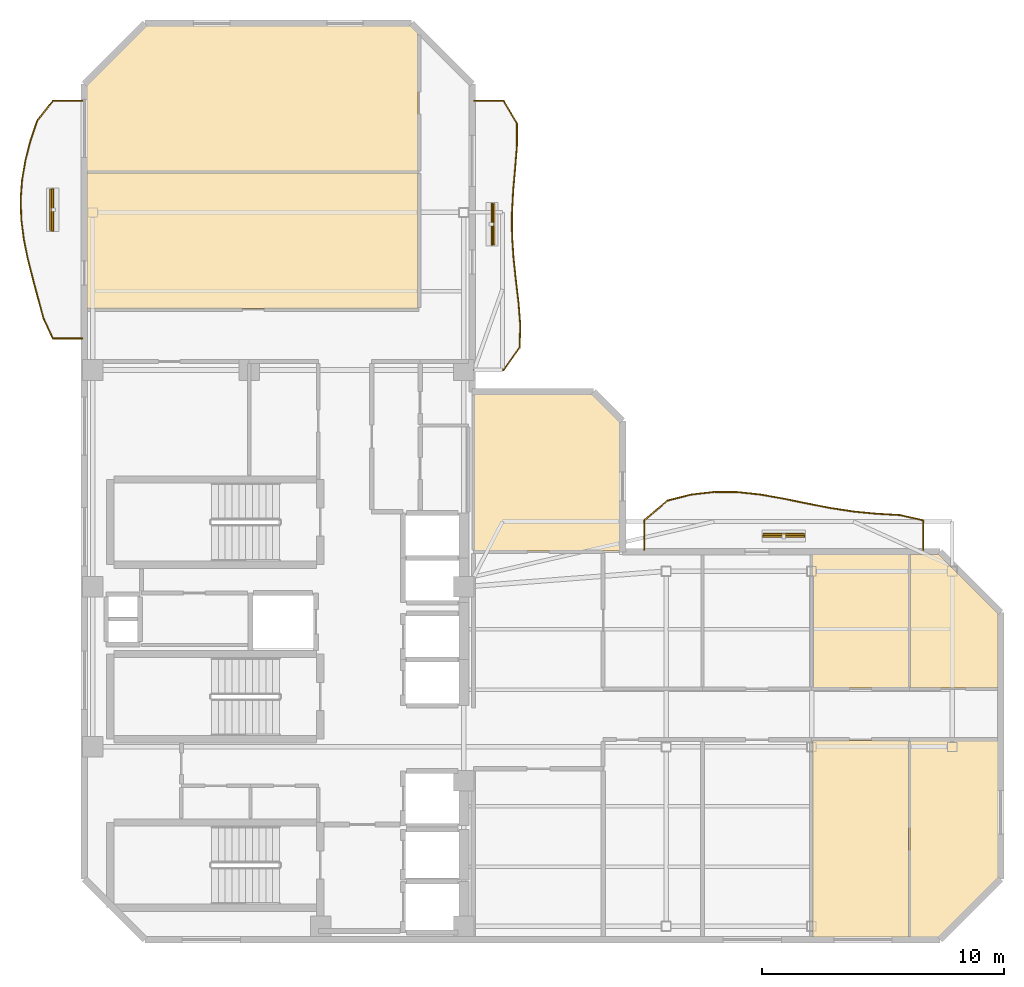
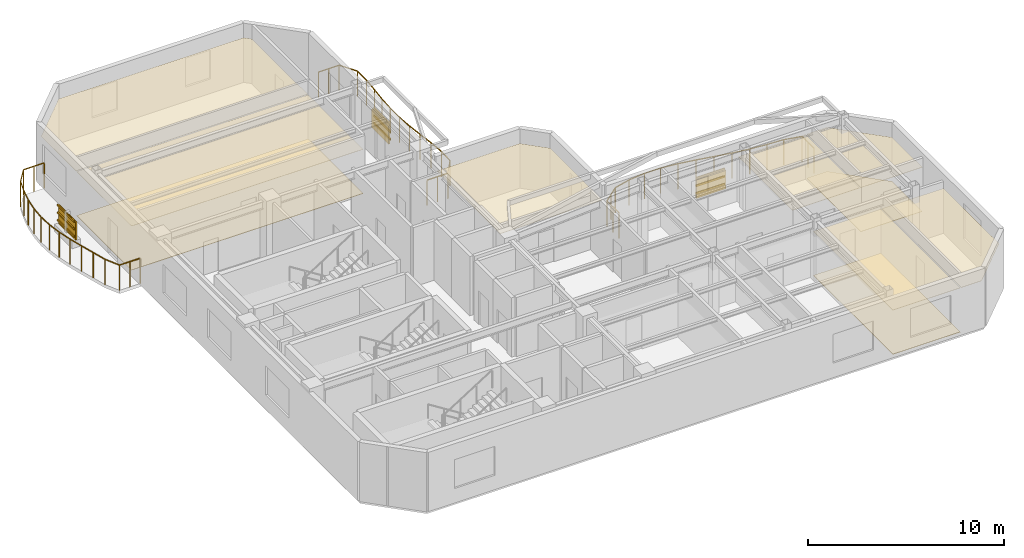
# One storey, part 7 of 7: 12 shading devices, 10 coverings, 3 railings.
"""IFC4 building model written with IfcOpenShell, lengths in metres."""

from ifc_helpers import new_model, si_unit, direction, frame, origin, origin_2d, place, context, subcontext, project, spatial, polyline, rectangle, outline, extrude, material, layer, layer_set, material_profile, profile_set, type_object, element, save


model = new_model("IFC4")

# Units and contexts
model_context = context("Model", 3, precision=1e-05, world=origin(), true_north=direction((0.0, 1.0)))
body_context = subcontext(model_context, "Body", "Model", "MODEL_VIEW")
ifc_project = project(units=[si_unit("LENGTHUNIT", "METRE"), si_unit("AREAUNIT", "SQUARE_METRE"), si_unit("VOLUMEUNIT", "CUBIC_METRE"), si_unit("PLANEANGLEUNIT", "RADIAN"), si_unit("MASSUNIT", "GRAM", prefix="KILO")], contexts=[model_context])

# Site, building, storey
site_placement = place(None, origin())
site = spatial("IfcSite", under=ifc_project, at=site_placement, CompositionType="ELEMENT")
building_placement = place(site_placement, origin())
building = spatial("IfcBuilding", under=site, at=building_placement, Name="Mawjaban Terraces University", CompositionType="ELEMENT")
storey_placement = place(building_placement, frame((0.0, 0.0, 275.5)))
storey = spatial("IfcBuildingStorey", under=building, at=storey_placement, Name="L67", CompositionType="ELEMENT", Elevation=275.5)

# Coverings
ifc_material_1 = material(Name="Acoustic mineral fibre ceiling tile", Category="masonry")
ifc_layer_1 = layer(ifc_material_1, 0.02001953125)
ifc_layer_set_1 = layer_set([ifc_layer_1], Name="Acoustic mineral fibre ceiling tile")
covering_type_1 = type_object("IfcCoveringType", Name="AcousticMineralCeiling_20", PredefinedType="CEILING", material=ifc_layer_set_1)
covering_1_placement = place(storey_placement, frame((0.0, 0.0, 2.75)))
element("IfcCovering", 1, at=covering_1_placement, inside=storey, type_object=covering_type_1, Name="L67 Reading Salon 6 Acoustic Ceiling", PredefinedType="CEILING", context=body_context, shape_type="SweptSolid", body=[
    extrude(outline(polyline([(52.030029296875, 0.114990234375), (55.998046875, 0.114990234375), (55.998046875, 8.219970703125), (52.030029296875, 8.219970703125), (52.030029296875, 0.114990234375)])), origin(), (0.0, 0.0, 1.0), 0.02001953125),
])
covering_2_placement = place(storey_placement, frame((0.0, 0.0, 2.75)))
element("IfcCovering", 2, at=covering_2_placement, inside=storey, type_object=covering_type_1, Name="L67 Academic Counseling Room 7 Acoustic Ceiling", PredefinedType="CEILING", context=body_context, shape_type="SweptSolid", body=[
    extrude(outline(polyline([(55.998046875, 15.885009765625), (52.030029296875, 15.885009765625), (52.030029296875, 10.3798828125), (55.998046875, 10.3798828125), (55.998046875, 15.885009765625)])), origin(), (0.0, 0.0, 1.0), 0.02001953125),
])
covering_3_placement = place(storey_placement, frame((0.0, 0.0, 2.75)))
element("IfcCovering", 3, at=covering_3_placement, inside=storey, type_object=covering_type_1, Name="L67 Academic Counseling Room 8 Acoustic Ceiling", PredefinedType="CEILING", context=body_context, shape_type="SweptSolid", body=[
    extrude(outline(polyline([(56.05810546875, 0.114990234375), (57.2529296875, 0.114990234375), (59.68505859375, 2.547119140625), (59.68505859375, 8.219970703125), (56.05810546875, 8.219970703125), (56.05810546875, 0.114990234375)])), origin(), (0.0, 0.0, 1.0), 0.02001953125),
])
covering_4_placement = place(storey_placement, frame((0.0, 0.0, 2.75)))
element("IfcCovering", 4, at=covering_4_placement, inside=storey, type_object=covering_type_1, Name="L67 Classroom 9 Acoustic Ceiling", PredefinedType="CEILING", context=body_context, shape_type="SweptSolid", body=[
    extrude(outline(polyline([(59.68505859375, 10.3798828125), (59.68505859375, 13.452880859375), (57.2529296875, 15.885009765625), (56.05810546875, 15.885009765625), (56.05810546875, 10.3798828125), (59.68505859375, 10.3798828125)])), origin(), (0.0, 0.0, 1.0), 0.02001953125),
])
covering_5_placement = place(storey_placement, frame((0.0, 0.0, 2.75)))
element("IfcCovering", 5, at=covering_5_placement, inside=storey, type_object=covering_type_1, Name="L67 Seminar Room 10 Acoustic Ceiling", PredefinedType="CEILING", context=body_context, shape_type="SweptSolid", body=[
    extrude(outline(polyline([(22.114990234375, 31.634033203125), (22.114990234375, 26.030029296875), (35.77001953125, 26.030029296875), (35.77001953125, 31.634033203125), (22.114990234375, 31.634033203125)])), origin(), (0.0, 0.0, 1.0), 0.02001953125),
])
covering_6_placement = place(storey_placement, frame((0.0, 0.0, 2.75)))
element("IfcCovering", 6, at=covering_6_placement, inside=storey, type_object=covering_type_1, Name="L67 Faculty Office 11 Acoustic Ceiling", PredefinedType="CEILING", context=body_context, shape_type="SweptSolid", body=[
    extrude(outline(polyline([(35.77001953125, 37.367919921875), (35.452880859375, 37.68505859375), (24.547119140625, 37.68505859375), (22.114990234375, 35.2529296875), (22.114990234375, 31.694091796875), (35.77001953125, 31.694091796875), (35.77001953125, 37.367919921875)])), origin(), (0.0, 0.0, 1.0), 0.02001953125),
])
covering_7_placement = place(storey_placement, frame((0.0, 0.0, 2.75)))
element("IfcCovering", 7, at=covering_7_placement, inside=storey, type_object=covering_type_1, Name="L67 Terrace Collaborative Study Room Acoustic Ceiling", PredefinedType="CEILING", context=body_context, shape_type="SweptSolid", body=[
    extrude(outline(polyline([(44.0849609375, 16.030029296875), (44.0849609375, 21.35302734375), (42.952880859375, 22.485107421875), (38.080078125, 22.485107421875), (38.080078125, 16.030029296875), (44.0849609375, 16.030029296875)])), origin(), (0.0, 0.0, 1.0), 0.02001953125),
])

# Railings
ifc_material_2 = material(Name="Galvanised powder-coated steel S355", Category="steel")
railing_type = type_object("IfcRailingType", Name="BalconyBalustrade_1600", PredefinedType="BALUSTRADE", material=ifc_material_2)
railing_1_placement = place(storey_placement, frame((21.919921875, 24.800048828125, 0.0)))
element("IfcRailing", 8, at=railing_1_placement, inside=storey, type_object=railing_type, Name="L67 Balcony Guardrail west", PredefinedType="BALUSTRADE", context=body_context, shape_type="SweptSolid", body=[
    extrude(rectangle(XDim=0.048095703125, YDim=0.048095703125, at=origin_2d()), frame((0.0, 0.0, 1.576171875), z_axis=(-1.0, 0.0, 0.0), x_axis=(0.0, -1.0, 0.0)), (0.0, 0.0, 1.0), 1.219970703125),
    extrude(rectangle(XDim=0.048095703125, YDim=0.048095703125, at=origin_2d()), frame((-1.219970703125, 0.0, 1.576171875), z_axis=(-0.425445319845, 0.904984132359, 0.0), x_axis=(-0.904984132359, -0.425445319845, 0.0)), (0.0, 0.0, 1.0), 0.902587890625),
    extrude(rectangle(XDim=0.048095703125, YDim=0.048095703125, at=origin_2d()), frame((-1.60400390625, 0.81689453125, 1.576171875), z_axis=(-0.261308992065, 0.965255204941, 0.0), x_axis=(-0.965255204941, -0.261308992065, 0.0)), (0.0, 0.0, 1.0), 0.845458984375),
    extrude(rectangle(XDim=0.048095703125, YDim=0.048095703125, at=origin_2d()), frame((-1.824951171875, 1.633056640625, 1.576171875), z_axis=(-0.261090681954, 0.965314278252, 0.0), x_axis=(-0.965314278252, -0.261090681954, 0.0)), (0.0, 0.0, 1.0), 0.84619140625),
    extrude(rectangle(XDim=0.048095703125, YDim=0.048095703125, at=origin_2d()), frame((-2.0458984375, 2.449951171875, 1.576171875), z_axis=(-0.244580644679, 0.969628953904, 0.0), x_axis=(-0.969628953904, -0.244580644679, 0.0)), (0.0, 0.0, 1.0), 0.842529296875),
    extrude(rectangle(XDim=0.048095703125, YDim=0.048095703125, at=origin_2d()), frame((-2.251953125, 3.266845703125, 1.576171875), z_axis=(-0.200453772831, 0.979703161656, 0.0), x_axis=(-0.979703161656, -0.200453772831, 0.0)), (0.0, 0.0, 1.0), 0.8330078125),
    extrude(rectangle(XDim=0.048095703125, YDim=0.048095703125, at=origin_2d()), frame((-2.4189453125, 4.0830078125, 1.576171875), z_axis=(-0.126296715249, 0.99199250991, 0.0), x_axis=(-0.99199250991, -0.126296715249, 0.0)), (0.0, 0.0, 1.0), 0.823486328125),
    extrude(rectangle(XDim=0.048095703125, YDim=0.048095703125, at=origin_2d()), frame((-2.52294921875, 4.89990234375, 1.576171875), z_axis=(-0.034338864189, 0.999410247299, 0.0), x_axis=(-0.999410247299, -0.034338864189, 0.0)), (0.0, 0.0, 1.0), 0.817626953125),
    extrude(rectangle(XDim=0.048095703125, YDim=0.048095703125, at=origin_2d()), frame((-2.551025390625, 5.717041015625, 1.576171875), z_axis=(0.071034940463, 0.997473827844, 0.0), x_axis=(-0.997473827844, 0.071034940463, 0.0)), (0.0, 0.0, 1.0), 0.81787109375),
    extrude(rectangle(XDim=0.048095703125, YDim=0.048095703125, at=origin_2d()), frame((-2.492919921875, 6.532958984375, 1.576171875), z_axis=(0.167647038279, 0.985847082745, 0.0), x_axis=(-0.985847082745, 0.167647038279, 0.0)), (0.0, 0.0, 1.0), 0.82861328125),
    extrude(rectangle(XDim=0.048095703125, YDim=0.048095703125, at=origin_2d()), frame((-2.35400390625, 7.349853515625, 1.576171875), z_axis=(0.248862668793, 0.968538781919, 0.0), x_axis=(-0.968538781919, 0.248862668793, 0.0)), (0.0, 0.0, 1.0), 0.84375),
    extrude(rectangle(XDim=0.048095703125, YDim=0.048095703125, at=origin_2d()), frame((-2.14404296875, 8.1669921875, 1.576171875), z_axis=(0.320560963351, 0.947227886401, 0.0), x_axis=(-0.947227886401, 0.320560963351, 0.0)), (0.0, 0.0, 1.0), 0.861328125),
    extrude(rectangle(XDim=0.048095703125, YDim=0.048095703125, at=origin_2d()), frame((-1.867919921875, 8.98291015625, 1.576171875), z_axis=(0.621320374913, 0.783556629554, 0.0), x_axis=(-0.783556629554, 0.621320374913, 0.0)), (0.0, 0.0, 1.0), 1.04296875),
    extrude(rectangle(XDim=0.048095703125, YDim=0.048095703125, at=origin_2d()), frame((-1.219970703125, 9.800048828125, 1.576171875), z_axis=(1.0, 0.0, 0.0), x_axis=(0.0, 1.0, 0.0)), (0.0, 0.0, 1.0), 1.219970703125),
    extrude(rectangle(XDim=0.0419921875, YDim=0.0419921875, at=origin_2d()), origin(), (0.0, 0.0, 1.0), 1.552001953125),
    extrude(rectangle(XDim=0.0419921875, YDim=0.0419921875, at=origin_2d()), frame((-0.60986328125, 0.0, 0.0)), (0.0, 0.0, 1.0), 1.552001953125),
    extrude(rectangle(XDim=0.0419921875, YDim=0.0419921875, at=origin_2d()), frame((-1.219970703125, 0.0, 0.0)), (0.0, 0.0, 1.0), 1.552001953125),
    extrude(rectangle(XDim=0.0419921875, YDim=0.0419921875, at=origin_2d()), frame((-1.60400390625, 0.81689453125, 0.0)), (0.0, 0.0, 1.0), 1.552001953125),
    extrude(rectangle(XDim=0.0419921875, YDim=0.0419921875, at=origin_2d()), frame((-1.824951171875, 1.633056640625, 0.0)), (0.0, 0.0, 1.0), 1.552001953125),
    extrude(rectangle(XDim=0.0419921875, YDim=0.0419921875, at=origin_2d()), frame((-2.0458984375, 2.449951171875, 0.0)), (0.0, 0.0, 1.0), 1.552001953125),
    extrude(rectangle(XDim=0.0419921875, YDim=0.0419921875, at=origin_2d()), frame((-2.251953125, 3.266845703125, 0.0)), (0.0, 0.0, 1.0), 1.552001953125),
    extrude(rectangle(XDim=0.0419921875, YDim=0.0419921875, at=origin_2d()), frame((-2.4189453125, 4.0830078125, 0.0)), (0.0, 0.0, 1.0), 1.552001953125),
    extrude(rectangle(XDim=0.0419921875, YDim=0.0419921875, at=origin_2d()), frame((-2.52294921875, 4.89990234375, 0.0)), (0.0, 0.0, 1.0), 1.552001953125),
    extrude(rectangle(XDim=0.0419921875, YDim=0.0419921875, at=origin_2d()), frame((-2.551025390625, 5.717041015625, 0.0)), (0.0, 0.0, 1.0), 1.552001953125),
    extrude(rectangle(XDim=0.0419921875, YDim=0.0419921875, at=origin_2d()), frame((-2.492919921875, 6.532958984375, 0.0)), (0.0, 0.0, 1.0), 1.552001953125),
    extrude(rectangle(XDim=0.0419921875, YDim=0.0419921875, at=origin_2d()), frame((-2.35400390625, 7.349853515625, 0.0)), (0.0, 0.0, 1.0), 1.552001953125),
    extrude(rectangle(XDim=0.0419921875, YDim=0.0419921875, at=origin_2d()), frame((-2.14404296875, 8.1669921875, 0.0)), (0.0, 0.0, 1.0), 1.552001953125),
    extrude(rectangle(XDim=0.0419921875, YDim=0.0419921875, at=origin_2d()), frame((-1.867919921875, 8.98291015625, 0.0)), (0.0, 0.0, 1.0), 1.552001953125),
    extrude(rectangle(XDim=0.0419921875, YDim=0.0419921875, at=origin_2d()), frame((-1.219970703125, 9.800048828125, 0.0)), (0.0, 0.0, 1.0), 1.552001953125),
    extrude(rectangle(XDim=0.0419921875, YDim=0.0419921875, at=origin_2d()), frame((-0.60986328125, 9.800048828125, 0.0)), (0.0, 0.0, 1.0), 1.552001953125),
    extrude(rectangle(XDim=0.0419921875, YDim=0.0419921875, at=origin_2d()), frame((0.0, 9.800048828125, 0.0)), (0.0, 0.0, 1.0), 1.552001953125),
])
railing_2_placement = place(storey_placement, frame((45.10009765625, 16.080078125, 0.0)))
element("IfcRailing", 9, at=railing_2_placement, inside=storey, type_object=railing_type, Name="L67 Balcony Guardrail inner_north", PredefinedType="BALUSTRADE", context=body_context, shape_type="SweptSolid", body=[
    extrude(rectangle(XDim=0.048095703125, YDim=0.048095703125, at=origin_2d()), frame((0.0, 0.0, 1.576171875), z_axis=(0.0, 1.0, 0.0), x_axis=(-1.0, 0.0, 0.0)), (0.0, 0.0, 1.0), 1.219970703125),
    extrude(rectangle(XDim=0.048095703125, YDim=0.048095703125, at=origin_2d()), frame((0.0, 1.219970703125, 1.576171875), z_axis=(0.761690213791, 0.647941369427, 0.0), x_axis=(-0.647941369427, 0.761690213791, 0.0)), (0.0, 0.0, 1.0), 1.2578125),
    extrude(rectangle(XDim=0.048095703125, YDim=0.048095703125, at=origin_2d()), frame((0.9580078125, 2.034912109375, 1.576171875), z_axis=(0.96914755637, 0.246481264973, 0.0), x_axis=(-0.246481264973, 0.96914755637, 0.0)), (0.0, 0.0, 1.0), 0.989501953125),
    extrude(rectangle(XDim=0.048095703125, YDim=0.048095703125, at=origin_2d()), frame((1.9169921875, 2.27880859375, 1.576171875), z_axis=(0.993344476803, 0.115181380465, 0.0), x_axis=(-0.115181380465, 0.993344476803, 0.0)), (0.0, 0.0, 1.0), 0.96435546875),
    extrude(rectangle(XDim=0.048095703125, YDim=0.048095703125, at=origin_2d()), frame((2.875, 2.389892578125, 1.576171875), z_axis=(0.999981296525, -0.006116093557, 0.0), x_axis=(0.006116093557, 0.999981296525, 0.0)), (0.0, 0.0, 1.0), 0.9580078125),
    extrude(rectangle(XDim=0.048095703125, YDim=0.048095703125, at=origin_2d()), frame((3.8330078125, 2.384033203125, 1.576171875), z_axis=(0.994385513116, -0.105818010306, 0.0), x_axis=(0.105818010306, 0.994385513116, 0.0)), (0.0, 0.0, 1.0), 0.96435546875),
    extrude(rectangle(XDim=0.048095703125, YDim=0.048095703125, at=origin_2d()), frame((4.7919921875, 2.281982421875, 1.576171875), z_axis=(0.984803764455, -0.173670796382, 0.0), x_axis=(0.173670796382, 0.984803764455, 0.0)), (0.0, 0.0, 1.0), 0.972900390625),
    extrude(rectangle(XDim=0.048095703125, YDim=0.048095703125, at=origin_2d()), frame((5.75, 2.113037109375, 1.576171875), z_axis=(0.979500522335, -0.201441621184, 0.0), x_axis=(0.201441621184, 0.979500522335, 0.0)), (0.0, 0.0, 1.0), 0.97802734375),
    extrude(rectangle(XDim=0.048095703125, YDim=0.048095703125, at=origin_2d()), frame((6.7080078125, 1.916015625, 1.576171875), z_axis=(0.98151120644, -0.191404680278, 0.0), x_axis=(0.191404680278, 0.98151120644, 0.0)), (0.0, 0.0, 1.0), 0.97705078125),
    extrude(rectangle(XDim=0.048095703125, YDim=0.048095703125, at=origin_2d()), frame((7.6669921875, 1.72900390625, 1.576171875), z_axis=(0.988586231557, -0.150656107663, 0.0), x_axis=(0.150656107663, 0.988586231557, 0.0)), (0.0, 0.0, 1.0), 0.968994140625),
    extrude(rectangle(XDim=0.048095703125, YDim=0.048095703125, at=origin_2d()), frame((8.625, 1.5830078125, 1.576171875), z_axis=(0.99531936855, -0.096640336243, 0.0), x_axis=(0.096640336243, 0.99531936855, 0.0)), (0.0, 0.0, 1.0), 0.96240234375),
    extrude(rectangle(XDim=0.048095703125, YDim=0.048095703125, at=origin_2d()), frame((9.5830078125, 1.489990234375, 1.576171875), z_axis=(0.998477512205, -0.055160290262, 0.0), x_axis=(0.055160290262, 0.998477512205, 0.0)), (0.0, 0.0, 1.0), 0.96044921875),
    extrude(rectangle(XDim=0.048095703125, YDim=0.048095703125, at=origin_2d()), frame((10.5419921875, 1.43701171875, 1.576171875), z_axis=(0.975284000494, -0.220955014383, 0.0), x_axis=(0.220955014383, 0.975284000494, 0.0)), (0.0, 0.0, 1.0), 0.982177734375),
    extrude(rectangle(XDim=0.048095703125, YDim=0.048095703125, at=origin_2d()), frame((11.5, 1.219970703125, 1.576171875), z_axis=(0.0, -1.0, 0.0), x_axis=(1.0, 0.0, 0.0)), (0.0, 0.0, 1.0), 1.219970703125),
    extrude(rectangle(XDim=0.0419921875, YDim=0.0419921875, at=origin_2d()), origin(), (0.0, 0.0, 1.0), 1.552001953125),
    extrude(rectangle(XDim=0.0419921875, YDim=0.0419921875, at=origin_2d()), frame((0.0, 0.60986328125, 0.0)), (0.0, 0.0, 1.0), 1.552001953125),
    extrude(rectangle(XDim=0.0419921875, YDim=0.0419921875, at=origin_2d()), frame((0.0, 1.219970703125, 0.0)), (0.0, 0.0, 1.0), 1.552001953125),
    extrude(rectangle(XDim=0.0419921875, YDim=0.0419921875, at=origin_2d()), frame((0.47900390625, 1.62744140625, 0.0)), (0.0, 0.0, 1.0), 1.552001953125),
    extrude(rectangle(XDim=0.0419921875, YDim=0.0419921875, at=origin_2d()), frame((0.9580078125, 2.034912109375, 0.0)), (0.0, 0.0, 1.0), 1.552001953125),
    extrude(rectangle(XDim=0.0419921875, YDim=0.0419921875, at=origin_2d()), frame((1.9169921875, 2.27880859375, 0.0)), (0.0, 0.0, 1.0), 1.552001953125),
    extrude(rectangle(XDim=0.0419921875, YDim=0.0419921875, at=origin_2d()), frame((2.875, 2.389892578125, 0.0)), (0.0, 0.0, 1.0), 1.552001953125),
    extrude(rectangle(XDim=0.0419921875, YDim=0.0419921875, at=origin_2d()), frame((3.8330078125, 2.384033203125, 0.0)), (0.0, 0.0, 1.0), 1.552001953125),
    extrude(rectangle(XDim=0.0419921875, YDim=0.0419921875, at=origin_2d()), frame((4.7919921875, 2.281982421875, 0.0)), (0.0, 0.0, 1.0), 1.552001953125),
    extrude(rectangle(XDim=0.0419921875, YDim=0.0419921875, at=origin_2d()), frame((5.75, 2.113037109375, 0.0)), (0.0, 0.0, 1.0), 1.552001953125),
    extrude(rectangle(XDim=0.0419921875, YDim=0.0419921875, at=origin_2d()), frame((6.7080078125, 1.916015625, 0.0)), (0.0, 0.0, 1.0), 1.552001953125),
    extrude(rectangle(XDim=0.0419921875, YDim=0.0419921875, at=origin_2d()), frame((7.6669921875, 1.72900390625, 0.0)), (0.0, 0.0, 1.0), 1.552001953125),
    extrude(rectangle(XDim=0.0419921875, YDim=0.0419921875, at=origin_2d()), frame((8.625, 1.5830078125, 0.0)), (0.0, 0.0, 1.0), 1.552001953125),
    extrude(rectangle(XDim=0.0419921875, YDim=0.0419921875, at=origin_2d()), frame((9.5830078125, 1.489990234375, 0.0)), (0.0, 0.0, 1.0), 1.552001953125),
    extrude(rectangle(XDim=0.0419921875, YDim=0.0419921875, at=origin_2d()), frame((10.5419921875, 1.43701171875, 0.0)), (0.0, 0.0, 1.0), 1.552001953125),
    extrude(rectangle(XDim=0.0419921875, YDim=0.0419921875, at=origin_2d()), frame((11.5, 1.219970703125, 0.0)), (0.0, 0.0, 1.0), 1.552001953125),
    extrude(rectangle(XDim=0.0419921875, YDim=0.0419921875, at=origin_2d()), frame((11.5, 0.60986328125, 0.0)), (0.0, 0.0, 1.0), 1.552001953125),
    extrude(rectangle(XDim=0.0419921875, YDim=0.0419921875, at=origin_2d()), frame((11.5, 0.0, 0.0)), (0.0, 0.0, 1.0), 1.552001953125),
])
railing_3_placement = place(storey_placement, frame((38.080078125, 23.5, 0.0)))
element("IfcRailing", 10, at=railing_3_placement, inside=storey, type_object=railing_type, Name="L67 Balcony Guardrail inner_east", PredefinedType="BALUSTRADE", context=body_context, shape_type="SweptSolid", body=[
    extrude(rectangle(XDim=0.048095703125, YDim=0.048095703125, at=origin_2d()), frame((0.0, 0.0, 1.576171875), z_axis=(1.0, 0.0, 0.0), x_axis=(0.0, 1.0, 0.0)), (0.0, 0.0, 1.0), 1.219970703125),
    extrude(rectangle(XDim=0.048095703125, YDim=0.048095703125, at=origin_2d()), frame((1.219970703125, 0.0, 1.576171875), z_axis=(0.57789183493, 0.816113366586, 0.0), x_axis=(-0.816113366586, 0.57789183493, 0.0)), (0.0, 0.0, 1.0), 1.133544921875),
    extrude(rectangle(XDim=0.048095703125, YDim=0.048095703125, at=origin_2d()), frame((1.875, 0.925048828125, 1.576171875), z_axis=(0.032445300094, 0.999473512656, 0.0), x_axis=(-0.999473512656, 0.032445300094, 0.0)), (0.0, 0.0, 1.0), 0.925537109375),
    extrude(rectangle(XDim=0.048095703125, YDim=0.048095703125, at=origin_2d()), frame((1.905029296875, 1.85009765625, 1.576171875), z_axis=(-0.077642416843, 0.996981271192, 0.0), x_axis=(-0.996981271192, -0.077642416843, 0.0)), (0.0, 0.0, 1.0), 0.927490234375),
    extrude(rectangle(XDim=0.048095703125, YDim=0.048095703125, at=origin_2d()), frame((1.8330078125, 2.77490234375, 1.576171875), z_axis=(-0.11716059721, 0.99311298172, 0.0), x_axis=(-0.99311298172, -0.11716059721, 0.0)), (0.0, 0.0, 1.0), 0.931396484375),
    extrude(rectangle(XDim=0.048095703125, YDim=0.048095703125, at=origin_2d()), frame((1.723876953125, 3.699951171875, 1.576171875), z_axis=(-0.106282937643, 0.994335927726, 0.0), x_axis=(-0.994335927726, -0.106282937643, 0.0)), (0.0, 0.0, 1.0), 0.930419921875),
    extrude(rectangle(XDim=0.048095703125, YDim=0.048095703125, at=origin_2d()), frame((1.625, 4.625, 1.576171875), z_axis=(-0.064788376989, 0.997899026058, 0.0), x_axis=(-0.997899026058, -0.064788376989, 0.0)), (0.0, 0.0, 1.0), 0.927001953125),
    extrude(rectangle(XDim=0.048095703125, YDim=0.048095703125, at=origin_2d()), frame((1.56494140625, 5.550048828125, 1.576171875), z_axis=(-0.003167046666, 0.999994984895, 0.0), x_axis=(-0.999994984895, -0.003167046666, 0.0)), (0.0, 0.0, 1.0), 0.925048828125),
    extrude(rectangle(XDim=0.048095703125, YDim=0.048095703125, at=origin_2d()), frame((1.56201171875, 6.47509765625, 1.576171875), z_axis=(0.053776349805, 0.998553005204, 0.0), x_axis=(-0.998553005204, 0.053776349805, 0.0)), (0.0, 0.0, 1.0), 0.926025390625),
    extrude(rectangle(XDim=0.048095703125, YDim=0.048095703125, at=origin_2d()), frame((1.61181640625, 7.39990234375, 1.576171875), z_axis=(0.0872876237, 0.996183151207, 0.0), x_axis=(-0.996183151207, 0.0872876237, 0.0)), (0.0, 0.0, 1.0), 0.9287109375),
    extrude(rectangle(XDim=0.048095703125, YDim=0.048095703125, at=origin_2d()), frame((1.69287109375, 8.324951171875, 1.576171875), z_axis=(0.079713853163, 0.996817787569, 0.0), x_axis=(-0.996817787569, 0.079713853163, 0.0)), (0.0, 0.0, 1.0), 0.927978515625),
    extrude(rectangle(XDim=0.048095703125, YDim=0.048095703125, at=origin_2d()), frame((1.766845703125, 9.25, 1.576171875), z_axis=(0.0, 1.0, 0.0), x_axis=(-1.0, 0.0, 0.0)), (0.0, 0.0, 1.0), 0.925048828125),
    extrude(rectangle(XDim=0.048095703125, YDim=0.048095703125, at=origin_2d()), frame((1.766845703125, 10.175048828125, 1.576171875), z_axis=(-0.50890534756, 0.860822482992, 0.0), x_axis=(-0.860822482992, -0.50890534756, 0.0)), (0.0, 0.0, 1.0), 1.07470703125),
    extrude(rectangle(XDim=0.048095703125, YDim=0.048095703125, at=origin_2d()), frame((1.219970703125, 11.10009765625, 1.576171875), z_axis=(-1.0, 0.0, 0.0), x_axis=(0.0, -1.0, 0.0)), (0.0, 0.0, 1.0), 1.219970703125),
    extrude(rectangle(XDim=0.0419921875, YDim=0.0419921875, at=origin_2d()), origin(), (0.0, 0.0, 1.0), 1.552001953125),
    extrude(rectangle(XDim=0.0419921875, YDim=0.0419921875, at=origin_2d()), frame((0.60986328125, 0.0, 0.0)), (0.0, 0.0, 1.0), 1.552001953125),
    extrude(rectangle(XDim=0.0419921875, YDim=0.0419921875, at=origin_2d()), frame((1.219970703125, 0.0, 0.0)), (0.0, 0.0, 1.0), 1.552001953125),
    extrude(rectangle(XDim=0.0419921875, YDim=0.0419921875, at=origin_2d()), frame((1.875, 0.925048828125, 0.0)), (0.0, 0.0, 1.0), 1.552001953125),
    extrude(rectangle(XDim=0.0419921875, YDim=0.0419921875, at=origin_2d()), frame((1.905029296875, 1.85009765625, 0.0)), (0.0, 0.0, 1.0), 1.552001953125),
    extrude(rectangle(XDim=0.0419921875, YDim=0.0419921875, at=origin_2d()), frame((1.8330078125, 2.77490234375, 0.0)), (0.0, 0.0, 1.0), 1.552001953125),
    extrude(rectangle(XDim=0.0419921875, YDim=0.0419921875, at=origin_2d()), frame((1.723876953125, 3.699951171875, 0.0)), (0.0, 0.0, 1.0), 1.552001953125),
    extrude(rectangle(XDim=0.0419921875, YDim=0.0419921875, at=origin_2d()), frame((1.625, 4.625, 0.0)), (0.0, 0.0, 1.0), 1.552001953125),
    extrude(rectangle(XDim=0.0419921875, YDim=0.0419921875, at=origin_2d()), frame((1.56494140625, 5.550048828125, 0.0)), (0.0, 0.0, 1.0), 1.552001953125),
    extrude(rectangle(XDim=0.0419921875, YDim=0.0419921875, at=origin_2d()), frame((1.56201171875, 6.47509765625, 0.0)), (0.0, 0.0, 1.0), 1.552001953125),
    extrude(rectangle(XDim=0.0419921875, YDim=0.0419921875, at=origin_2d()), frame((1.61181640625, 7.39990234375, 0.0)), (0.0, 0.0, 1.0), 1.552001953125),
    extrude(rectangle(XDim=0.0419921875, YDim=0.0419921875, at=origin_2d()), frame((1.69287109375, 8.324951171875, 0.0)), (0.0, 0.0, 1.0), 1.552001953125),
    extrude(rectangle(XDim=0.0419921875, YDim=0.0419921875, at=origin_2d()), frame((1.766845703125, 9.25, 0.0)), (0.0, 0.0, 1.0), 1.552001953125),
    extrude(rectangle(XDim=0.0419921875, YDim=0.0419921875, at=origin_2d()), frame((1.766845703125, 10.175048828125, 0.0)), (0.0, 0.0, 1.0), 1.552001953125),
    extrude(rectangle(XDim=0.0419921875, YDim=0.0419921875, at=origin_2d()), frame((1.219970703125, 11.10009765625, 0.0)), (0.0, 0.0, 1.0), 1.552001953125),
    extrude(rectangle(XDim=0.0419921875, YDim=0.0419921875, at=origin_2d()), frame((0.60986328125, 11.10009765625, 0.0)), (0.0, 0.0, 1.0), 1.552001953125),
    extrude(rectangle(XDim=0.0419921875, YDim=0.0419921875, at=origin_2d()), frame((0.0, 11.10009765625, 0.0)), (0.0, 0.0, 1.0), 1.552001953125),
])

# Shading devices
ifc_material_3 = material(Name="Glazed architectural terracotta ceramic", Category="masonry")
ifc_material_profile = material_profile(ifc_material_3, rectangle(XDim=0.06494140625, YDim=0.110107421875, at=origin_2d()), Name="TBAG110X65")
ifc_profile_set = profile_set([ifc_material_profile], Name="Glazed architectural terracotta ceramic")
shading_device_type_1 = type_object("IfcShadingDeviceType", Name="TerracottaBaguette_110x65", PredefinedType="USERDEFINED", material=ifc_profile_set)
for number, where, z_axis, x_axis, name in (
    (11, (20.612060546875, 29.258056640625, 0.679931640625), (0.0, 1.0, 0.0), (-1.0, 0.0, 0.0), "L67 Horizontal Terracotta Baguette west.1"),
    (12, (20.612060546875, 29.258056640625, 1.14990234375), (0.0, 1.0, 0.0), (-1.0, 0.0, 0.0), "L67 Horizontal Terracotta Baguette west.2"),
    (13, (20.612060546875, 29.258056640625, 1.6201171875), (0.0, 1.0, 0.0), (-1.0, 0.0, 0.0), "L67 Horizontal Terracotta Baguette west.3"),
    (14, (50.0, 16.72998046875, 0.679931640625), (1.0, 0.0, 0.0), (0.0, 1.0, 0.0), "L67 Horizontal Terracotta Baguette inner_north.1"),
    (15, (50.0, 16.72998046875, 1.14990234375), (1.0, 0.0, 0.0), (0.0, 1.0, 0.0), "L67 Horizontal Terracotta Baguette inner_north.2"),
    (16, (50.0, 16.72998046875, 1.6201171875), (1.0, 0.0, 0.0), (0.0, 1.0, 0.0), "L67 Horizontal Terracotta Baguette inner_north.3"),
    (17, (38.902099609375, 28.6630859375, 0.679931640625), (0.0, 1.0, 0.0), (-1.0, 0.0, 0.0), "L67 Horizontal Terracotta Baguette inner_east.1"),
    (18, (38.902099609375, 28.6630859375, 1.14990234375), (0.0, 1.0, 0.0), (-1.0, 0.0, 0.0), "L67 Horizontal Terracotta Baguette inner_east.2"),
    (19, (38.902099609375, 28.6630859375, 1.6201171875), (0.0, 1.0, 0.0), (-1.0, 0.0, 0.0), "L67 Horizontal Terracotta Baguette inner_east.3"),
):
    element("IfcShadingDevice", number, at=place(storey_placement, frame(where, z_axis=z_axis, x_axis=x_axis)), inside=storey, type_object=shading_device_type_1, Name=name, ObjectType="BAGUETTE", PredefinedType="USERDEFINED", context=body_context, shape_type="SweptSolid", body=[
        extrude(rectangle(XDim=0.06494140625, YDim=0.110107421875, at=origin_2d()), origin(), (0.0, 0.0, 1.0), 1.699951171875),
    ])
ifc_layer_2 = layer(ifc_material_3, 0.080078125)
ifc_layer_set_2 = layer_set([ifc_layer_2], Name="Glazed architectural terracotta ceramic")
shading_device_type_2 = type_object("IfcShadingDeviceType", Name="TerracottaScreen_Perforated", PredefinedType="USERDEFINED", material=ifc_layer_set_2)
for number, where, z_axis, x_axis, name in (
    (20, (20.697021484375, 30.10791015625, 0.43994140625), (0.0, 0.0, 1.0), (0.0, 1.0, 0.0), "L67 Balcony Perforated Terracotta Screen west"),
    (21, (50.85009765625, 16.64501953125, 0.43994140625), (0.0, 0.0, 1.0), (1.0, 0.0, 0.0), "L67 Balcony Perforated Terracotta Screen inner_north"),
    (22, (38.81689453125, 29.512939453125, 0.43994140625), (0.0, 0.0, 1.0), (0.0, 1.0, 0.0), "L67 Balcony Perforated Terracotta Screen inner_east"),
):
    element("IfcShadingDevice", number, at=place(storey_placement, frame(where, z_axis=z_axis, x_axis=x_axis)), inside=storey, type_object=shading_device_type_2, Name=name, ObjectType="SCREEN", PredefinedType="USERDEFINED", context=body_context, shape_type="SweptSolid", body=[
        extrude(rectangle(XDim=1.75, YDim=0.080078125, at=origin_2d()), origin(), (0.0, 0.0, 1.0), 1.14990234375),
    ])

# Coverings
ifc_material_4 = material(Name="Polished Hijazi granite terrazzo flooring", Category="masonry")
ifc_layer_3 = layer(ifc_material_4, 0.02490234375)
ifc_layer_set_3 = layer_set([ifc_layer_3], Name="Polished Hijazi granite terrazzo flooring")
covering_type_2 = type_object("IfcCoveringType", Name="TerrazzoConcourseFlooring_25", PredefinedType="FLOORING", material=ifc_layer_set_3)
covering_8_placement = place(storey_placement, origin())
element("IfcCovering", 23, at=covering_8_placement, inside=storey, type_object=covering_type_2, Name="L67 Reading Salon 6 Terrazzo Flooring", PredefinedType="FLOORING", context=body_context, shape_type="SweptSolid", body=[
    extrude(outline(polyline([(52.030029296875, 0.114990234375), (55.998046875, 0.114990234375), (55.998046875, 8.219970703125), (52.030029296875, 8.219970703125), (52.030029296875, 0.114990234375)])), origin(), (0.0, 0.0, 1.0), 0.02490234375),
])
covering_9_placement = place(storey_placement, origin())
element("IfcCovering", 24, at=covering_9_placement, inside=storey, type_object=covering_type_2, Name="L67 Classroom 9 Terrazzo Flooring", PredefinedType="FLOORING", context=body_context, shape_type="SweptSolid", body=[
    extrude(outline(polyline([(59.68505859375, 10.3798828125), (59.68505859375, 13.452880859375), (57.2529296875, 15.885009765625), (56.05810546875, 15.885009765625), (56.05810546875, 10.3798828125), (59.68505859375, 10.3798828125)])), origin(), (0.0, 0.0, 1.0), 0.02490234375),
])
covering_10_placement = place(storey_placement, origin())
element("IfcCovering", 25, at=covering_10_placement, inside=storey, type_object=covering_type_2, Name="L67 Seminar Room 10 Terrazzo Flooring", PredefinedType="FLOORING", context=body_context, shape_type="SweptSolid", body=[
    extrude(outline(polyline([(22.114990234375, 31.634033203125), (22.114990234375, 26.030029296875), (35.77001953125, 26.030029296875), (35.77001953125, 31.634033203125), (22.114990234375, 31.634033203125)])), origin(), (0.0, 0.0, 1.0), 0.02490234375),
])

save(model, "model.ifc")
